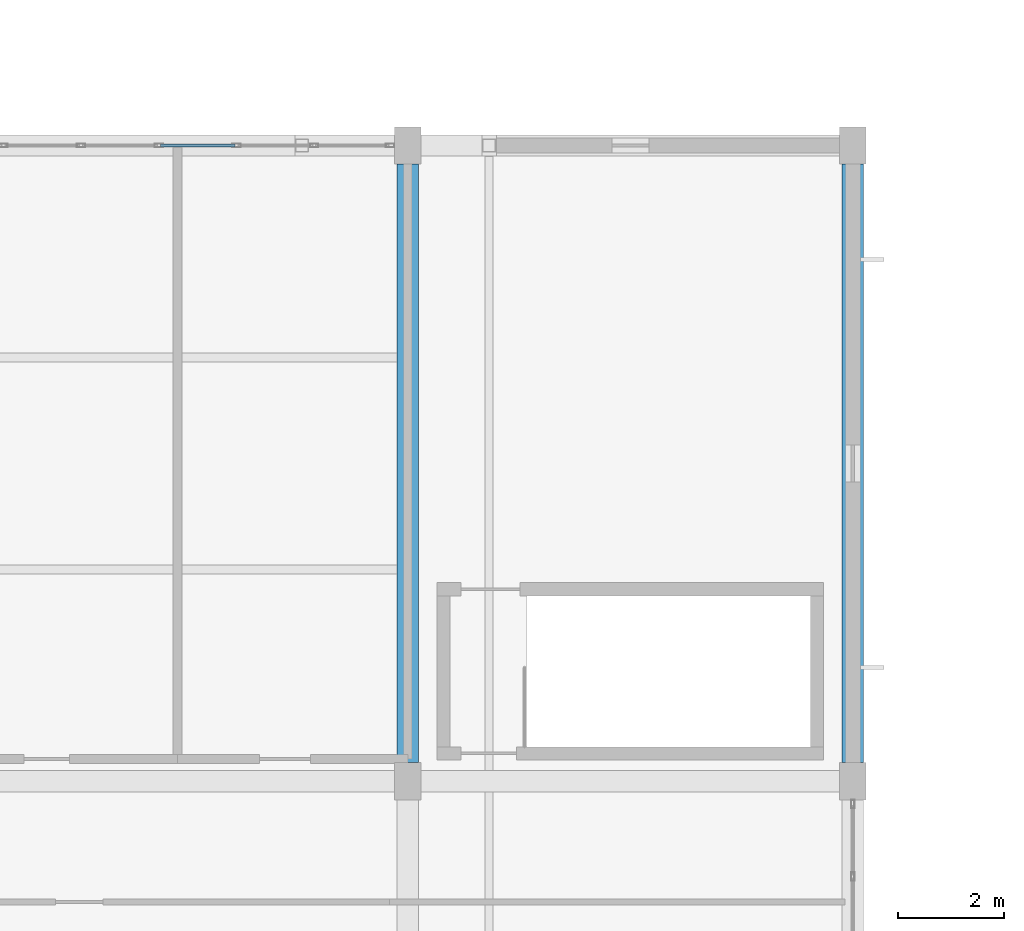
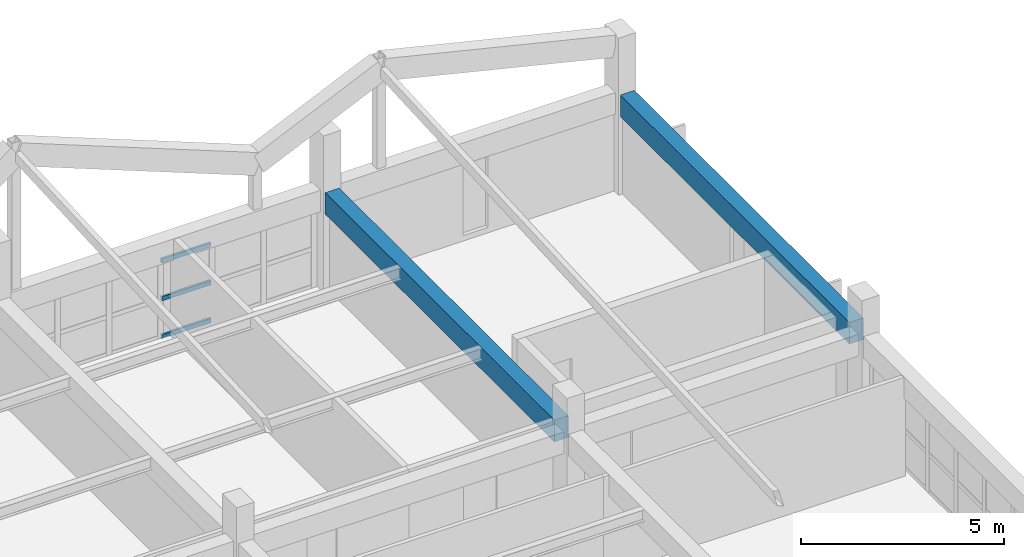
# One storey, part 31 of 127: 3 members, 2 beams, 1 element without a shape of its own.
"""IFC4 building model written with IfcOpenShell, lengths in metres."""

import ifcopenshell
import ifcopenshell.guid

model = None  # the IFC model being written
_history = None  # IfcOwnerHistory: only IFC2X3 demands one
_inside = {}  # id of a spatial element -> (the spatial element, [elements in it])
_under = {}  # id of a project, library or spatial element -> (it, [spatial elements below it])
_declared = {}  # id of a project -> (the project, [libraries it declares])
_typed = {}  # id of a type object -> (the type object, [elements of that type])
_made_of = {}  # id of a material, layer set ... -> (it, [elements and type objects made of it])


def new_model(schema):
    """Start an empty IFC model of exactly this schema.

    Asked for "IFC4X3", IfcOpenShell would pick the latest addendum, in which some entities
    have other attributes; the version numbers below select the first issue.
    IFC2X3 requires an IfcOwnerHistory on every rooted entity: one is made here for all.
    """
    global model, _history
    if schema == "IFC4X3":
        model = ifcopenshell.file(schema_version=(4, 3, 0, 0))
    else:
        model = ifcopenshell.file(schema=schema)
    _inside.clear()
    _under.clear()
    _declared.clear()
    _typed.clear()
    _made_of.clear()
    _history = None
    if model.schema == "IFC2X3":
        org = make("IfcOrganization", Name="unknown")
        user = make(
            "IfcPersonAndOrganization",
            ThePerson=make("IfcPerson", FamilyName="unknown"),
            TheOrganization=org,
        )
        app = make(
            "IfcApplication",
            ApplicationDeveloper=org,
            Version="unknown",
            ApplicationFullName="unknown",
            ApplicationIdentifier="unknown",
        )
        _history = make(
            "IfcOwnerHistory",
            OwningUser=user,
            OwningApplication=app,
            ChangeAction="ADDED",
            CreationDate=0,
        )
    return model


def make(cls, **values):
    """One entity of the class cls with the attributes given. An attribute that is None is left unset."""
    return model.create_entity(
        cls, **{name: value for name, value in values.items() if value is not None}
    )


def rooted(cls, **values):
    """An entity with a GlobalId (a new one), such as an element, a storey or a relation."""
    return make(cls, GlobalId=ifcopenshell.guid.new(), OwnerHistory=_history, **values)


def si_unit(unit_type, name, prefix=None):
    """IfcSIUnit, for example si_unit("LENGTHUNIT", "METRE", prefix="MILLI")."""
    return make("IfcSIUnit", UnitType=unit_type, Prefix=prefix, Name=name)


def assignment(units):
    """IfcUnitAssignment: the units of a project."""
    return None if units is None else make("IfcUnitAssignment", Units=units)


def point(xyz):
    """IfcCartesianPoint."""
    return None if xyz is None else make("IfcCartesianPoint", Coordinates=xyz)


def direction(xyz):
    """IfcDirection."""
    return None if xyz is None else make("IfcDirection", DirectionRatios=xyz)


def frame(location, z_axis=None, x_axis=None):
    """IfcAxis2Placement3D, a coordinate frame: its origin and axes. An axis left out is left unset."""
    return make(
        "IfcAxis2Placement3D",
        Location=point(location),
        Axis=direction(z_axis),
        RefDirection=direction(x_axis),
    )


def frame_2d(location, x_axis=None):
    """IfcAxis2Placement2D, a coordinate frame in the plane: its origin and x axis."""
    return make(
        "IfcAxis2Placement2D", Location=point(location), RefDirection=direction(x_axis)
    )


def origin():
    """The frame at (0, 0, 0) with its axes left unset."""
    return frame((0.0, 0.0, 0.0))


def origin_2d():
    """The frame at (0, 0) in the plane with its x axis left unset."""
    return frame_2d((0.0, 0.0))


def place(relative_to, where):
    """IfcLocalPlacement: puts the frame where relative to a parent placement (None: the world)."""
    return make(
        "IfcLocalPlacement", PlacementRelTo=relative_to, RelativePlacement=where
    )


def context(
    kind, dimensions, precision=None, world=None, true_north=None, identifier=None
):
    """IfcGeometricRepresentationContext, for example the 3D "Model" context."""
    return make(
        "IfcGeometricRepresentationContext",
        ContextIdentifier=identifier,
        ContextType=kind,
        CoordinateSpaceDimension=dimensions,
        Precision=precision,
        WorldCoordinateSystem=world,
        TrueNorth=true_north,
    )


def subcontext(parent, identifier, kind, view, scale=None):
    """IfcGeometricRepresentationSubContext, for example "Body" below "Model"."""
    return make(
        "IfcGeometricRepresentationSubContext",
        ContextIdentifier=identifier,
        ContextType=kind,
        ParentContext=parent,
        TargetScale=scale,
        TargetView=view,
    )


def project(units=None, contexts=None):
    """IfcProject with its units and contexts."""
    return rooted(
        "IfcProject",
        Name="project",
        RepresentationContexts=contexts,
        UnitsInContext=assignment(units),
    )


def spatial(cls, under=None, at=None, **own):
    """A site, building, storey or space (cls), placed at a placement, below another one or the project."""
    s = rooted(cls, ObjectPlacement=at, **own)
    if under is not None:
        _under.setdefault(under.id(), (under, []))[1].append(s)
    return s


def profile(cls, at=None, kind="AREA", **sizes):
    """A parametric profile (cls). Its sizes go by their IFC names, for example OverallWidth=200.0."""
    return make(cls, ProfileType=kind, Position=at, **sizes)


def rectangle(**sizes):
    """IfcRectangleProfileDef."""
    return profile("IfcRectangleProfileDef", **sizes)


def hollow_rectangle(**sizes):
    """IfcRectangleHollowProfileDef."""
    return profile("IfcRectangleHollowProfileDef", **sizes)


def extrude(swept, where, along, depth):
    """IfcExtrudedAreaSolid: the profile swept, set in the frame where, extruded along a direction by depth."""
    return make(
        "IfcExtrudedAreaSolid",
        SweptArea=swept,
        Position=where,
        ExtrudedDirection=direction(along),
        Depth=depth,
    )


def shape(context_of_items, identifier, shape_type, items):
    """IfcShapeRepresentation: the items that make up one representation, for example the "Body"."""
    return make(
        "IfcShapeRepresentation",
        ContextOfItems=context_of_items,
        RepresentationIdentifier=identifier,
        RepresentationType=shape_type,
        Items=items,
    )


def material(Name=None, Category=None):
    """IfcMaterial."""
    return make("IfcMaterial", Name=Name, Category=Category)


def material_profile(
    of_material, cross_section, Name=None, Category=None, Priority=None
):
    """IfcMaterialProfile: a cross section and its material."""
    return make(
        "IfcMaterialProfile",
        Name=Name,
        Material=of_material,
        Profile=cross_section,
        Priority=Priority,
        Category=Category,
    )


def profile_set(profiles, Name=None, composite=None):
    """IfcMaterialProfileSet."""
    return make(
        "IfcMaterialProfileSet",
        Name=Name,
        MaterialProfiles=profiles,
        CompositeProfile=composite,
    )


def made_of(thing, what):
    """Note that an element or type object is made of a material, layer set ...; save() writes the relation."""
    if what is not None:
        _made_of.setdefault(what.id(), (what, []))[1].append(thing)
    return thing


def type_object(cls, material=None, **own):
    """A type object (cls), such as IfcWallType, which elements share."""
    return made_of(rooted(cls, **own), material)


def element(
    cls,
    number,
    at=None,
    inside=None,
    cuts=None,
    type_object=None,
    material=None,
    context=None,
    identifier="Body",
    shape_type=None,
    held_by="IfcProductDefinitionShape",
    body=None,
    shapes=None,
    **own,
):
    """One element of the class cls, such as IfcWall. Its Tag is "e" and its number.

    at: its placement. inside: the storey or other place that contains it. cuts: it is an
    opening in that element (IfcRelVoidsElement). A single representation is given by context,
    identifier, shape_type and body (its items); several are given by shapes. held_by: the class
    of the entity that holds the representations. save() writes the other relations.
    """
    e = rooted(cls, Tag="e%d" % number, ObjectPlacement=at, **own)
    if body is not None:
        shapes = [shape(context, identifier, shape_type, body)]
    if shapes is not None:
        e.Representation = make(held_by, Representations=shapes)
    if inside is not None:
        _inside.setdefault(inside.id(), (inside, []))[1].append(e)
    if cuts is not None:
        rooted(
            "IfcRelVoidsElement", RelatingBuildingElement=cuts, RelatedOpeningElement=e
        )
    if type_object is not None:
        _typed.setdefault(type_object.id(), (type_object, []))[1].append(e)
    return made_of(e, material)


def aggregate(whole, parts):
    """IfcRelAggregates: a whole, such as a stair, and the parts it consists of."""
    return rooted("IfcRelAggregates", RelatingObject=whole, RelatedObjects=parts)


def save(model, path):
    """Write the relations noted so far, then the file.

    IfcRelAggregates (storeys below a building ...), IfcRelContainedInSpatialStructure (elements
    in a storey), IfcRelDefinesByType, IfcRelAssociatesMaterial and IfcRelDeclares: one each for
    every whole, place, type object, material and project.
    """
    for whole, parts in _under.values():
        aggregate(whole, parts)
    for where, things in _inside.values():
        rooted(
            "IfcRelContainedInSpatialStructure",
            RelatedElements=things,
            RelatingStructure=where,
        )
    for kind, things in _typed.values():
        rooted("IfcRelDefinesByType", RelatedObjects=things, RelatingType=kind)
    for what, things in _made_of.values():
        rooted("IfcRelAssociatesMaterial", RelatedObjects=things, RelatingMaterial=what)
    for by, libraries in _declared.values():
        rooted("IfcRelDeclares", RelatingContext=by, RelatedDefinitions=libraries)
    model.write(path)


model = new_model("IFC4")

# Units and contexts
model_context = context("Model", 3, precision=1e-05, world=origin(), true_north=direction((0.0, 1.0)))
body_context = subcontext(model_context, "Body", "Model", "MODEL_VIEW")
ifc_project = project(units=[si_unit("LENGTHUNIT", "METRE"), si_unit("AREAUNIT", "SQUARE_METRE"), si_unit("VOLUMEUNIT", "CUBIC_METRE"), si_unit("PLANEANGLEUNIT", "RADIAN"), si_unit("MASSUNIT", "GRAM", prefix="KILO")], contexts=[model_context])

# Site, building, storey
site_placement = place(None, origin())
site = spatial("IfcSite", under=ifc_project, at=site_placement, CompositionType="ELEMENT")
building_placement = place(site_placement, origin())
building = spatial("IfcBuilding", under=site, at=building_placement, Name="Kestramere Prow Commons", CompositionType="ELEMENT")
storey_placement = place(building_placement, frame((0.0, 0.0, 8.39990234375)))
storey = spatial("IfcBuildingStorey", under=building, at=storey_placement, Name="L02", CompositionType="ELEMENT", Elevation=8.39990234375)

# Beams
ifc_material_1 = material(Name="Precast concrete C40/50", Category="concrete")
ifc_material_profile_1 = material_profile(ifc_material_1, rectangle(XDim=0.39990234375, YDim=0.64990234375, at=origin_2d()), Name="PC-BM 400x650")
ifc_profile_set_1 = profile_set([ifc_material_profile_1], Name="Precast concrete C40/50")
beam_type_1 = type_object("IfcBeamType", Name="BM-MK-01 PC-BM 400x650", PredefinedType="BEAM", material=ifc_profile_set_1)
beam_1_placement = place(storey_placement, frame((103.60009765625, 12.35009765625, 2.675048828125), z_axis=(0.0, 1.0, 0.0), x_axis=(-1.0, 0.0, 0.0)))
element("IfcBeam", 1, at=beam_1_placement, inside=storey, type_object=beam_type_1, Name="Market Spine L02 Beam Y 6-2", PredefinedType="BEAM", context=body_context, shape_type="SweptSolid", body=[
    extrude(rectangle(XDim=0.39990234375, YDim=0.64990234375, at=origin_2d()), origin(), (0.0, 0.0, 1.0), 11.2998046875),
])
ifc_material_profile_2 = material_profile(ifc_material_1, rectangle(XDim=0.39990234375, YDim=0.64990234375, at=origin_2d()), Name="PC-BM 400x650")
ifc_profile_set_2 = profile_set([ifc_material_profile_2], Name="Precast concrete C40/50")
beam_type_2 = type_object("IfcBeamType", Name="BM-MK-01 PC-BM 400x650 (EX)", PredefinedType="BEAM", material=ifc_profile_set_2)
beam_2_placement = place(storey_placement, frame((112.0, 12.35009765625, 2.675048828125), z_axis=(0.0, 1.0, 0.0), x_axis=(-1.0, 0.0, 0.0)))
element("IfcBeam", 2, at=beam_2_placement, inside=storey, type_object=beam_type_2, Name="Market Spine L02 Beam Y 7-2", PredefinedType="BEAM", context=body_context, shape_type="SweptSolid", body=[
    extrude(rectangle(XDim=0.39990234375, YDim=0.64990234375, at=origin_2d()), origin(), (0.0, 0.0, 1.0), 11.2998046875),
])

# Curtain wall, members
ifc_material_2 = material(Name="Anodised Aluminium and Low-E Glass", Category="aluminium")
curtain_wall_type = type_object("IfcCurtainWallType", Name="CW-31 Glazed Curtain Wall 8800x2340", PredefinedType="USERDEFINED", material=ifc_material_2)
curtain_wall_placement = place(storey_placement, origin())
curtain_wall = element("IfcCurtainWall", 3, at=curtain_wall_placement, inside=storey, type_object=curtain_wall_type, Name="Market L02 Courtyard Shopfront 5", ObjectType="GLAZED CURTAIN WALL", PredefinedType="USERDEFINED")
ifc_material_3 = material(Name="Anodised Aluminium 6063-T6", Category="aluminium")
ifc_material_profile_3 = material_profile(ifc_material_3, hollow_rectangle(XDim=0.06494140625, YDim=0.1298828125, WallThickness=0.00390625, at=origin_2d()), Name="ALU-TRN 65x130")
ifc_profile_set_3 = profile_set([ifc_material_profile_3], Name="Anodised Aluminium 6063-T6")
member_type = type_object("IfcMemberType", Name="CW-TRN-65x130", PredefinedType="USERDEFINED", material=ifc_profile_set_3)
member_1_placement = place(storey_placement, frame((98.9326171875, 24.0, 0.03271484375), z_axis=(1.0, 0.0, 0.0), x_axis=(0.0, 1.0, 0.0)))
member_1 = element("IfcMember", 4, at=member_1_placement, type_object=member_type, Name="CW-31 transom 4.1", ObjectType="TRANSOM", PredefinedType="USERDEFINED", context=body_context, shape_type="SweptSolid", body=[
    extrude(hollow_rectangle(XDim=0.06494140625, YDim=0.1298828125, WallThickness=0.00390625, at=origin_2d()), origin(), (0.0, 0.0, 1.0), 1.401611328125),
])
member_2_placement = place(storey_placement, frame((98.9326171875, 24.0, 1.170166015625), z_axis=(1.0, 0.0, 0.0), x_axis=(0.0, 1.0, 0.0)))
member_2 = element("IfcMember", 5, at=member_2_placement, type_object=member_type, Name="CW-31 transom 4.2", ObjectType="TRANSOM", PredefinedType="USERDEFINED", context=body_context, shape_type="SweptSolid", body=[
    extrude(hollow_rectangle(XDim=0.06494140625, YDim=0.1298828125, WallThickness=0.00390625, at=origin_2d()), origin(), (0.0, 0.0, 1.0), 1.401611328125),
])
member_3_placement = place(storey_placement, frame((98.9326171875, 24.0, 2.3076171875), z_axis=(1.0, 0.0, 0.0), x_axis=(0.0, 1.0, 0.0)))
member_3 = element("IfcMember", 6, at=member_3_placement, type_object=member_type, Name="CW-31 transom 4.3", ObjectType="TRANSOM", PredefinedType="USERDEFINED", context=body_context, shape_type="SweptSolid", body=[
    extrude(hollow_rectangle(XDim=0.06494140625, YDim=0.1298828125, WallThickness=0.00390625, at=origin_2d()), origin(), (0.0, 0.0, 1.0), 1.401611328125),
])
aggregate(curtain_wall, [member_1, member_2, member_3])

save(model, "model.ifc")
